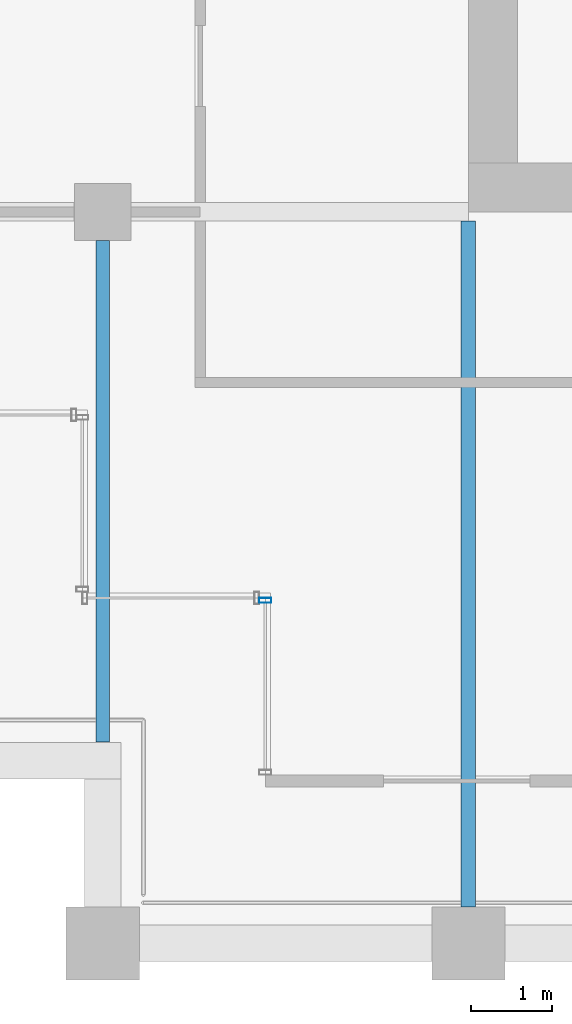
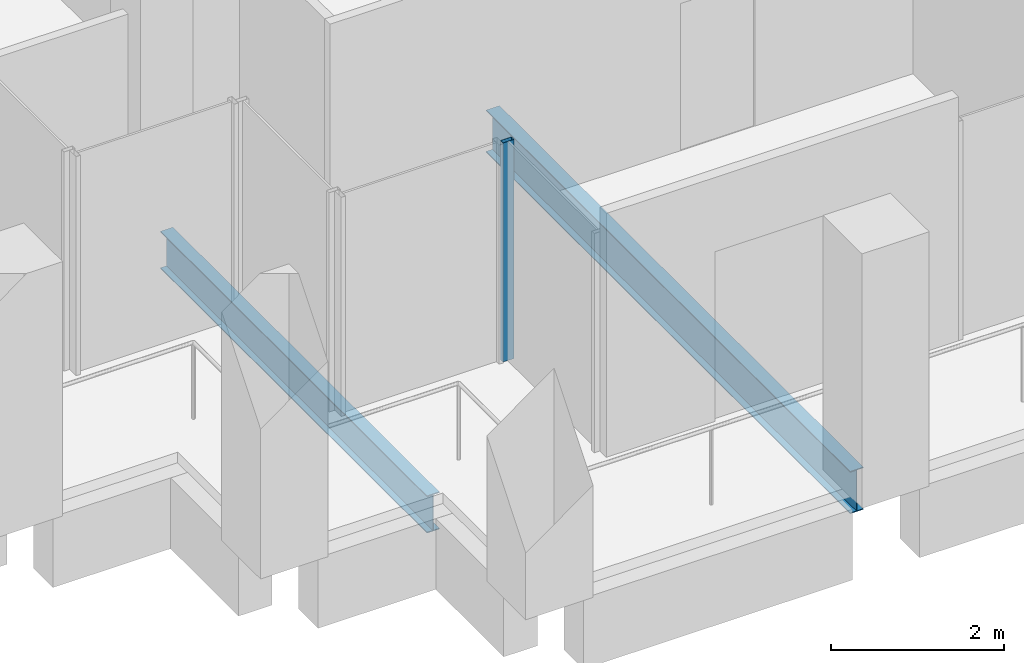
# One storey, part 29 of 40: 2 beams, 1 member, 1 element without a shape of its own.
"""IFC4 building model written with IfcOpenShell, lengths in metres."""

from ifc_helpers import new_model, si_unit, direction, frame, origin, origin_2d, place, context, subcontext, project, spatial, hollow_rectangle, i_section, extrude, material, material_profile, profile_set, type_object, element, aggregate, save


model = new_model("IFC4")

# Units and contexts
model_context = context("Model", 3, precision=1e-05, world=origin(), true_north=direction((0.0, 1.0)))
body_context = subcontext(model_context, "Body", "Model", "MODEL_VIEW")
ifc_project = project(units=[si_unit("LENGTHUNIT", "METRE"), si_unit("AREAUNIT", "SQUARE_METRE"), si_unit("VOLUMEUNIT", "CUBIC_METRE"), si_unit("PLANEANGLEUNIT", "RADIAN"), si_unit("MASSUNIT", "GRAM", prefix="KILO")], contexts=[model_context])

# Site, building, storey
site_placement = place(None, origin())
site = spatial("IfcSite", under=ifc_project, at=site_placement, CompositionType="ELEMENT")
building_placement = place(site_placement, origin())
building = spatial("IfcBuilding", under=site, at=building_placement, Name="Altepetl Exchange Towers", CompositionType="ELEMENT")
storey_placement = place(building_placement, frame((0.0, 0.0, 183.39990234375)))
storey = spatial("IfcBuildingStorey", under=building, at=storey_placement, Name="L46", CompositionType="ELEMENT", Elevation=183.39990234375)

# Beams
ifc_material_1 = material(Name="Steel S355", Category="steel")
ifc_material_profile_1 = material_profile(ifc_material_1, i_section(OverallWidth=0.166015625, OverallDepth=0.529052734375, WebThickness=0.009765625, FlangeThickness=0.013671875, at=origin_2d()), Name="W21X50")
ifc_profile_set_1 = profile_set([ifc_material_profile_1], Name="Steel S355")
beam_type_1 = type_object("IfcBeamType", Name="Floor beam W21X50", PredefinedType="BEAM", material=ifc_profile_set_1)
beam_1_placement = place(storey_placement, frame((99.0, 29.47509765625, -0.414306640625), z_axis=(0.0, 1.0, 0.0), x_axis=(-1.0, 0.0, 0.0)))
element("IfcBeam", 1, at=beam_1_placement, inside=storey, type_object=beam_type_1, Name="bm:B:L46:000", PredefinedType="BEAM", context=body_context, shape_type="SweptSolid", body=[
    extrude(i_section(OverallWidth=0.166015625, OverallDepth=0.529052734375, WebThickness=0.009765625, FlangeThickness=0.013671875, at=origin_2d()), origin(), (0.0, 0.0, 1.0), 6.1748046875),
])
ifc_material_profile_2 = material_profile(ifc_material_1, i_section(OverallWidth=0.177978515625, OverallDepth=0.59912109375, WebThickness=0.010009765625, FlangeThickness=0.0126953125, at=origin_2d()), Name="W24X55")
ifc_profile_set_2 = profile_set([ifc_material_profile_2], Name="Steel S355")
beam_type_2 = type_object("IfcBeamType", Name="Floor beam W24X55", PredefinedType="BEAM", material=ifc_profile_set_2)
beam_2_placement = place(storey_placement, frame((103.5, 27.449951171875, -0.449462890625), z_axis=(0.0, 1.0, 0.0), x_axis=(-1.0, 0.0, 0.0)))
element("IfcBeam", 2, at=beam_2_placement, inside=storey, type_object=beam_type_2, Name="bm:B:L46:001", PredefinedType="BEAM", context=body_context, shape_type="SweptSolid", body=[
    extrude(i_section(OverallWidth=0.177978515625, OverallDepth=0.59912109375, WebThickness=0.010009765625, FlangeThickness=0.0126953125, at=origin_2d()), origin(), (0.0, 0.0, 1.0), 8.43603515625),
])

# Curtain wall, member
ifc_material_2 = material(Name="Aluminium 6063-T6 glazing", Category="aluminium")
curtain_wall_type = type_object("IfcCurtainWallType", Name="Loggia glazing system", PredefinedType="NOTDEFINED", material=ifc_material_2)
curtain_wall_placement = place(storey_placement, origin())
curtain_wall = element("IfcCurtainWall", 3, at=curtain_wall_placement, inside=storey, type_object=curtain_wall_type, Name="CW1 run", PredefinedType="NOTDEFINED")
ifc_material_3 = material(Name="Aluminium 6063-T6", Category="aluminium")
ifc_material_profile_3 = material_profile(ifc_material_3, hollow_rectangle(XDim=0.06005859375, YDim=0.14990234375, WallThickness=0.0029296875, at=origin_2d()), Name="Mullion 60x150 aluminium")
ifc_profile_set_3 = profile_set([ifc_material_profile_3], Name="Aluminium 6063-T6")
member_type = type_object("IfcMemberType", Name="Mullion 60x150 aluminium", PredefinedType="MULLION", material=ifc_profile_set_3)
member_placement = place(storey_placement, frame((101.0, 31.219970703125, 0.0), z_axis=(0.0, 0.0, 1.0), x_axis=(0.0, -1.0, 0.0)))
member = element("IfcMember", 4, at=member_placement, type_object=member_type, Name="MU1 mullion", PredefinedType="MULLION", context=body_context, shape_type="SweptSolid", body=[
    extrude(hollow_rectangle(XDim=0.06005859375, YDim=0.14990234375, WallThickness=0.0029296875, at=origin_2d()), origin(), (0.0, 0.0, 1.0), 3.10009765625),
])
aggregate(curtain_wall, [member])

save(model, "model.ifc")
